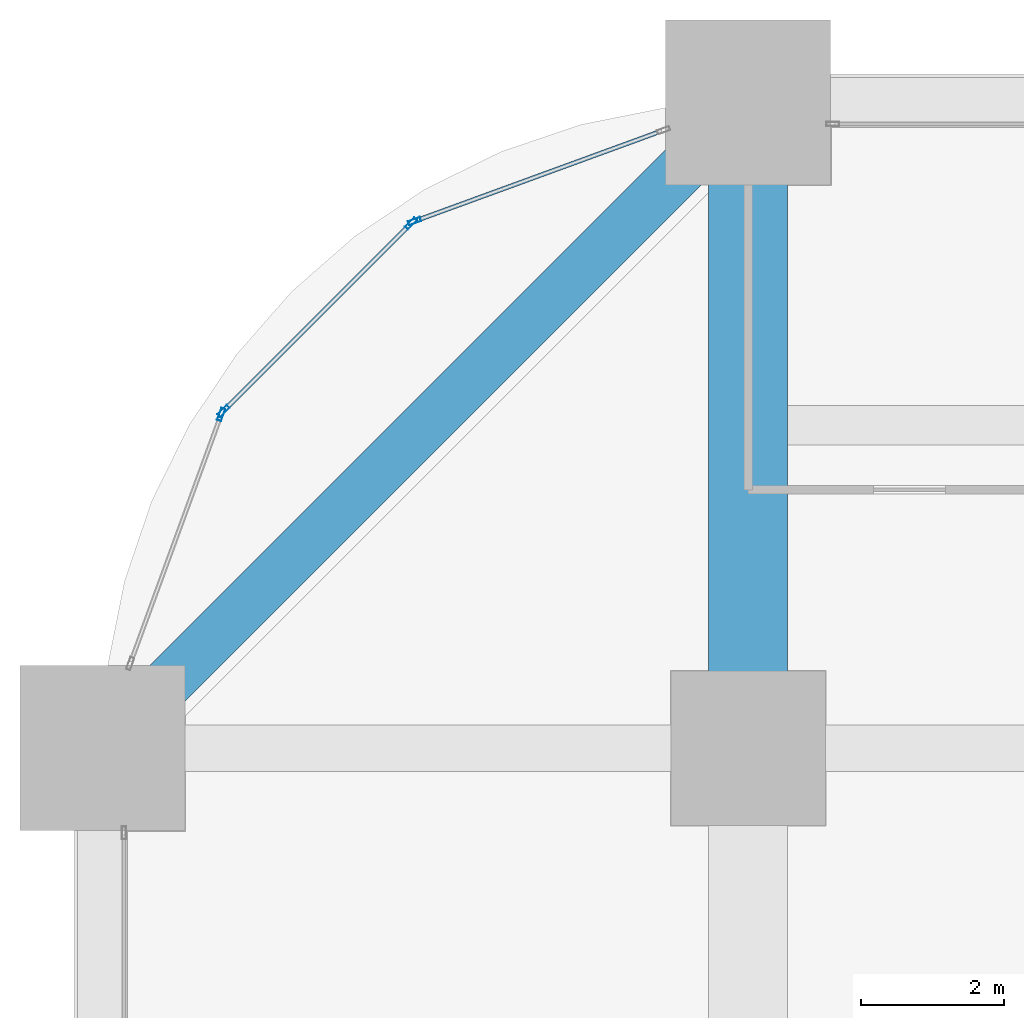
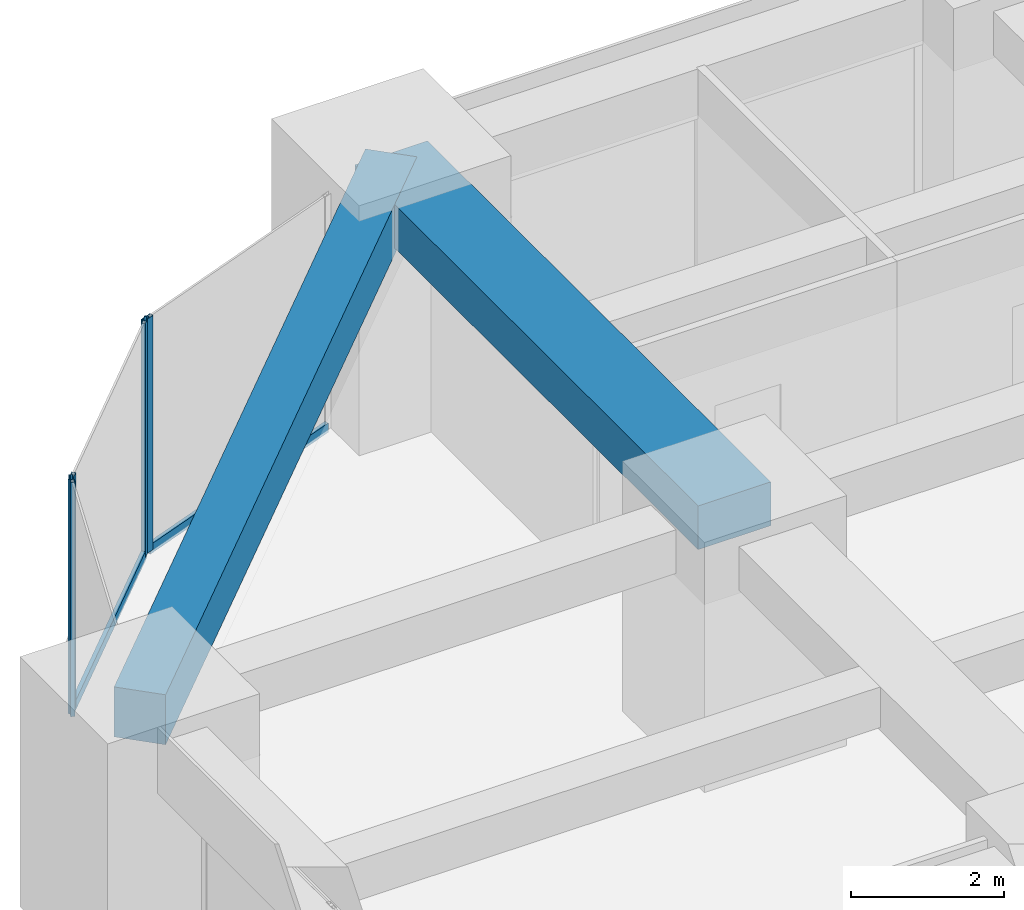
# One storey, part 27 of 44: 6 members, 2 beams, 3 elements without a shape of their own.
"""IFC4 building model written with IfcOpenShell, lengths in metres."""

from ifc_helpers import new_model, si_unit, direction, frame, origin, origin_2d, place, context, subcontext, project, spatial, rectangle, hollow_rectangle, extrude, material, material_profile, profile_set, type_object, element, aggregate, save


model = new_model("IFC4")

# Units and contexts
model_context = context("Model", 3, precision=1e-05, world=origin(), true_north=direction((0.0, 1.0)))
body_context = subcontext(model_context, "Body", "Model", "MODEL_VIEW")
ifc_project = project(units=[si_unit("LENGTHUNIT", "METRE"), si_unit("AREAUNIT", "SQUARE_METRE"), si_unit("VOLUMEUNIT", "CUBIC_METRE"), si_unit("PLANEANGLEUNIT", "RADIAN"), si_unit("MASSUNIT", "GRAM", prefix="KILO")], contexts=[model_context])

# Site, building, storey
site_placement = place(None, origin())
site = spatial("IfcSite", under=ifc_project, at=site_placement, CompositionType="ELEMENT")
building_placement = place(site_placement, origin())
building = spatial("IfcBuilding", under=site, at=building_placement, Name="Zorevar Civic Tower", CompositionType="ELEMENT")
storey_placement = place(building_placement, frame((0.0, 0.0, 51.800048828125)))
storey = spatial("IfcBuildingStorey", under=building, at=storey_placement, Name="L12", CompositionType="ELEMENT", Elevation=51.800048828125)

# Beam
ifc_material_1 = material(Name="Concrete C50/60", Category="concrete")
ifc_material_profile_1 = material_profile(ifc_material_1, rectangle(XDim=1.10009765625, YDim=0.699951171875, at=origin_2d()), Name="RC 1100x700")
ifc_profile_set_1 = profile_set([ifc_material_profile_1], Name="Concrete C50/60")
beam_type_1 = type_object("IfcBeamType", Name="Beam RC 1100x700", PredefinedType="BEAM", material=ifc_profile_set_1)
beam_1_placement = place(storey_placement, frame((9.0, 45.0, 3.39990234375), z_axis=(0.0, 1.0, 0.0), x_axis=(-1.0, 0.0, 0.0)))
element("IfcBeam", 1, at=beam_1_placement, inside=storey, type_object=beam_type_1, Name="Girder L13", PredefinedType="BEAM", context=body_context, shape_type="SweptSolid", body=[
    extrude(rectangle(XDim=1.10009765625, YDim=0.699951171875, at=origin_2d()), origin(), (0.0, 0.0, 1.0), 9.0),
])

# Curtain wall, member
ifc_material_2 = material(Name="Dark grey solar-control glass in black aluminium frame", Category="aluminium")
curtain_wall_type = type_object("IfcCurtainWallType", Name="Curtain wall CW2 low zone", PredefinedType="NOTDEFINED", material=ifc_material_2)
curtain_wall_1_placement = place(storey_placement, origin())
curtain_wall_1 = element("IfcCurtainWall", 2, at=curtain_wall_1_placement, inside=storey, type_object=curtain_wall_type, Name="CW2 L12", PredefinedType="NOTDEFINED")
ifc_material_3 = material(Name="Aluminium, black anodised", Category="aluminium")
ifc_material_profile_2 = material_profile(ifc_material_3, hollow_rectangle(XDim=0.06005859375, YDim=0.179931640625, WallThickness=0.00390625, at=origin_2d()), Name="AL 180x60x4")
ifc_profile_set_2 = profile_set([ifc_material_profile_2], Name="Aluminium, black anodised")
member_type_1 = type_object("IfcMemberType", Name="CW2 mullion AL 180x60x4", PredefinedType="MULLION", material=ifc_profile_set_2)
member_1_placement = place(storey_placement, frame((4.349609375, 52.34521484375, 0.0), z_axis=(0.0, 0.0, 1.0), x_axis=(0.343060400701, -0.939313345732, 0.0)))
member_1 = element("IfcMember", 3, at=member_1_placement, type_object=member_type_1, Name="CW2 mullion 2", PredefinedType="MULLION", context=body_context, shape_type="SweptSolid", body=[
    extrude(hollow_rectangle(XDim=0.06005859375, YDim=0.179931640625, WallThickness=0.00390625, at=origin_2d()), origin(), (0.0, 0.0, 1.0), 3.75),
])

# Curtain wall, members
curtain_wall_2_placement = place(storey_placement, origin())
curtain_wall_2 = element("IfcCurtainWall", 4, at=curtain_wall_2_placement, inside=storey, type_object=curtain_wall_type, Name="CW2 L12", PredefinedType="NOTDEFINED")
member_2_placement = place(storey_placement, frame((4.30029296875, 52.313720703125, 0.0), z_axis=(0.0, 0.0, 1.0), x_axis=(0.707106781187, -0.707106781187, 0.0)))
member_2 = element("IfcMember", 5, at=member_2_placement, type_object=member_type_1, Name="CW2 mullion 1", PredefinedType="MULLION", context=body_context, shape_type="SweptSolid", body=[
    extrude(hollow_rectangle(XDim=0.06005859375, YDim=0.179931640625, WallThickness=0.00390625, at=origin_2d()), origin(), (0.0, 0.0, 1.0), 3.75),
])
member_3_placement = place(storey_placement, frame((1.686279296875, 49.69970703125, 0.0), z_axis=(0.0, 0.0, 1.0), x_axis=(0.707106781187, -0.707106781187, 0.0)))
member_3 = element("IfcMember", 6, at=member_3_placement, type_object=member_type_1, Name="CW2 mullion 2", PredefinedType="MULLION", context=body_context, shape_type="SweptSolid", body=[
    extrude(hollow_rectangle(XDim=0.06005859375, YDim=0.179931640625, WallThickness=0.00390625, at=origin_2d()), origin(), (0.0, 0.0, 1.0), 3.75),
])

# Curtain wall, member
curtain_wall_3_placement = place(storey_placement, origin())
curtain_wall_3 = element("IfcCurtainWall", 7, at=curtain_wall_3_placement, inside=storey, type_object=curtain_wall_type, Name="CW2 L12", PredefinedType="NOTDEFINED")
member_4_placement = place(storey_placement, frame((1.65478515625, 49.650390625, 0.0), z_axis=(0.0, 0.0, 1.0), x_axis=(0.939313345732, -0.343060400701, 0.0)))
member_4 = element("IfcMember", 8, at=member_4_placement, type_object=member_type_1, Name="CW2 mullion 1", PredefinedType="MULLION", context=body_context, shape_type="SweptSolid", body=[
    extrude(hollow_rectangle(XDim=0.06005859375, YDim=0.179931640625, WallThickness=0.00390625, at=origin_2d()), origin(), (0.0, 0.0, 1.0), 3.75),
])
aggregate(curtain_wall_3, [member_4])

# Member
ifc_material_4 = material(Name="Aluminium, black anodised", Category="aluminium")
ifc_material_profile_3 = material_profile(ifc_material_4, hollow_rectangle(XDim=0.06005859375, YDim=0.14990234375, WallThickness=0.00390625, at=origin_2d()), Name="AL 150x60x4")
ifc_profile_set_3 = profile_set([ifc_material_profile_3], Name="Aluminium, black anodised")
member_type_2 = type_object("IfcMemberType", Name="CW2 transom AL 150x60x4", PredefinedType="USERDEFINED", material=ifc_profile_set_3)
member_5_placement = place(storey_placement, frame((7.793701171875, 53.60302734375, 0.030029296875), z_axis=(-0.939318180432, -0.343047162808, 0.0), x_axis=(0.343047162808, -0.939318180432, 0.0)))
member_5 = element("IfcMember", 9, at=member_5_placement, type_object=member_type_2, Name="CW2 sill transom", ObjectType="TRANSOM", PredefinedType="USERDEFINED", context=body_context, shape_type="SweptSolid", body=[
    extrude(hollow_rectangle(XDim=0.06005859375, YDim=0.14990234375, WallThickness=0.00390625, at=origin_2d()), origin(), (0.0, 0.0, 1.0), 3.63671875),
])

aggregate(curtain_wall_1, [member_1, member_5])

member_6_placement = place(storey_placement, frame((4.279052734375, 52.29248046875, 0.030029296875), z_axis=(-0.707106781187, -0.707106781187, 0.0), x_axis=(0.707106781187, -0.707106781187, 0.0)))
member_6 = element("IfcMember", 10, at=member_6_placement, type_object=member_type_2, Name="CW2 sill transom", ObjectType="TRANSOM", PredefinedType="USERDEFINED", context=body_context, shape_type="SweptSolid", body=[
    extrude(hollow_rectangle(XDim=0.06005859375, YDim=0.14990234375, WallThickness=0.00390625, at=origin_2d()), origin(), (0.0, 0.0, 1.0), 3.63671875),
])

aggregate(curtain_wall_2, [member_2, member_3, member_6])

# Beam
ifc_material_5 = material(Name="Concrete C50/60", Category="concrete")
ifc_material_profile_4 = material_profile(ifc_material_5, rectangle(XDim=0.699951171875, YDim=0.800048828125, at=origin_2d()), Name="RC 700x800")
ifc_profile_set_4 = profile_set([ifc_material_profile_4], Name="Concrete C50/60")
beam_type_2 = type_object("IfcBeamType", Name="Edge beam RC 700x800", PredefinedType="SPANDREL", material=ifc_profile_set_4)
beam_2_placement = place(storey_placement, frame((9.0, 54.0, 3.349853515625), z_axis=(-0.707106781187, -0.707106781187, 0.0), x_axis=(0.707106781187, -0.707106781187, 0.0)))
element("IfcBeam", 11, at=beam_2_placement, inside=storey, type_object=beam_type_2, Name="Corner edge beam L13", PredefinedType="SPANDREL", context=body_context, shape_type="SweptSolid", body=[
    extrude(rectangle(XDim=0.699951171875, YDim=0.800048828125, at=origin_2d()), origin(), (0.0, 0.0, 1.0), 12.72802734375),
])

save(model, "model.ifc")
